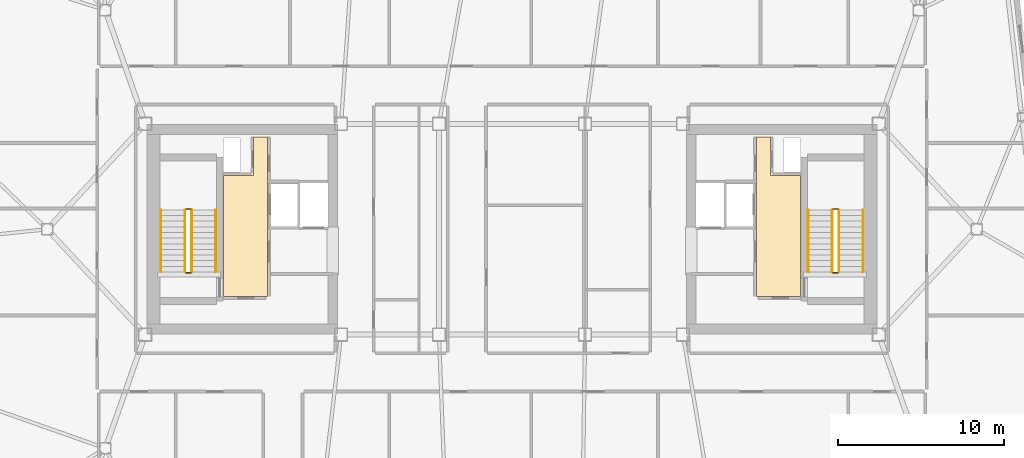
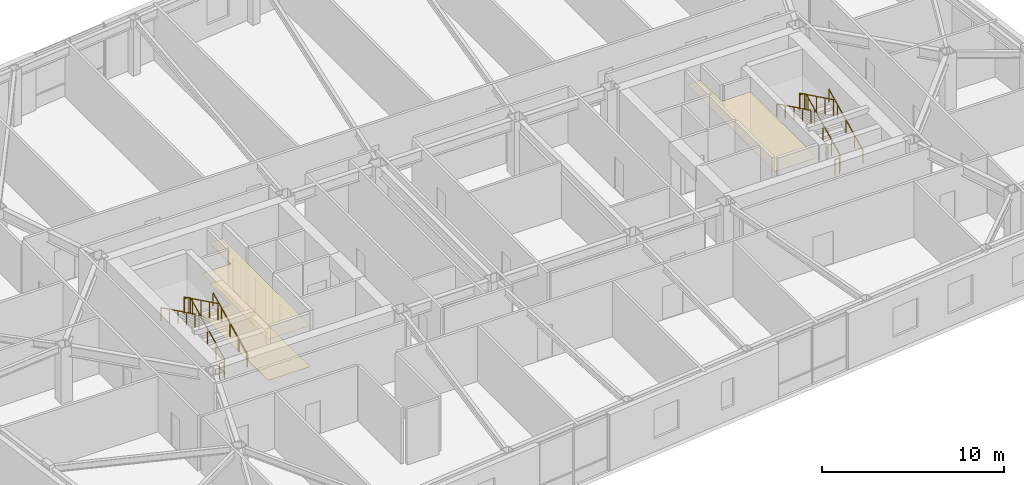
# One storey, part 19 of 19: 12 railings, 3 coverings.
"""IFC4 building model written with IfcOpenShell, lengths in metres."""

from ifc_helpers import new_model, si_unit, direction, frame, origin, origin_2d, place, context, subcontext, project, spatial, polyline, rectangle, outline, extrude, material, layer, layer_set, type_object, element, save


model = new_model("IFC4")

# Units and contexts
model_context = context("Model", 3, precision=1e-05, world=origin(), true_north=direction((0.0, 1.0)))
body_context = subcontext(model_context, "Body", "Model", "MODEL_VIEW")
ifc_project = project(units=[si_unit("LENGTHUNIT", "METRE"), si_unit("AREAUNIT", "SQUARE_METRE"), si_unit("VOLUMEUNIT", "CUBIC_METRE"), si_unit("PLANEANGLEUNIT", "RADIAN"), si_unit("MASSUNIT", "GRAM", prefix="KILO")], contexts=[model_context])

# Site, building, storey
site_placement = place(None, origin())
site = spatial("IfcSite", under=ifc_project, at=site_placement, CompositionType="ELEMENT")
building_placement = place(site_placement, origin())
building = spatial("IfcBuilding", under=site, at=building_placement, Name="Tavrogorsk Clinical Tower", CompositionType="ELEMENT")
storey_placement = place(building_placement, frame((0.0, 0.0, 259.0)))
storey = spatial("IfcBuildingStorey", under=building, at=storey_placement, Name="L60", CompositionType="ELEMENT", Elevation=259.0)

# Coverings
ifc_material_1 = material(Name="Antibacterial micro-perforated aluminium ceiling", Category="aluminium")
ifc_layer_1 = layer(ifc_material_1, 0.014892578125)
ifc_layer_set_1 = layer_set([ifc_layer_1], Name="Antibacterial micro-perforated aluminium ceiling")
covering_type_1 = type_object("IfcCoveringType", Name="ClinicalCeiling_15", PredefinedType="CEILING", material=ifc_layer_set_1)
covering_1_placement = place(storey_placement, frame((0.0, 0.0, 2.75)))
element("IfcCovering", 1, at=covering_1_placement, inside=storey, type_object=covering_type_1, Name="Core West Firefighting Lift Lobby Acoustic Ceiling", PredefinedType="CEILING", context=body_context, shape_type="SweptSolid", body=[
    extrude(outline(polyline([(-14.719970703125, 5.56005859375), (-14.719970703125, -4.06005859375), (-17.3798828125, -4.06005859375), (-17.3798828125, 3.239990234375), (-15.56005859375, 3.239990234375), (-15.56005859375, 5.56005859375), (-14.719970703125, 5.56005859375)])), origin(), (0.0, 0.0, 1.0), 0.014892578125),
])
covering_2_placement = place(storey_placement, frame((0.0, 0.0, 2.75)))
element("IfcCovering", 2, at=covering_2_placement, inside=storey, type_object=covering_type_1, Name="Core East Firefighting Lift Lobby Acoustic Ceiling", PredefinedType="CEILING", context=body_context, shape_type="SweptSolid", body=[
    extrude(outline(polyline([(17.3798828125, -4.06005859375), (14.719970703125, -4.06005859375), (14.719970703125, 5.56005859375), (15.56005859375, 5.56005859375), (15.56005859375, 3.239990234375), (17.3798828125, 3.239990234375), (17.3798828125, -4.06005859375)])), origin(), (0.0, 0.0, 1.0), 0.014892578125),
])
ifc_material_2 = material(Name="Homogeneous medical conductive PVC flooring")
ifc_layer_2 = layer(ifc_material_2, 0.008056640625)
ifc_layer_set_2 = layer_set([ifc_layer_2], Name="Homogeneous medical conductive PVC flooring")
covering_type_2 = type_object("IfcCoveringType", Name="ResilientVinylFloor_8", PredefinedType="FLOORING", material=ifc_layer_set_2)
covering_3_placement = place(storey_placement, origin())
element("IfcCovering", 3, at=covering_3_placement, inside=storey, type_object=covering_type_2, Name="Core West Firefighting Lift Lobby Conductive Vinyl Flooring", PredefinedType="FLOORING", context=body_context, shape_type="SweptSolid", body=[
    extrude(outline(polyline([(-14.719970703125, 5.56005859375), (-14.719970703125, -4.06005859375), (-17.3798828125, -4.06005859375), (-17.3798828125, 3.239990234375), (-15.56005859375, 3.239990234375), (-15.56005859375, 5.56005859375), (-14.719970703125, 5.56005859375)])), origin(), (0.0, 0.0, 1.0), 0.008056640625),
])

# Railings
ifc_material_3 = material(Name="Galvanised steel S355 safety stairwell guard", Category="steel")
ifc_layer_3 = layer(ifc_material_3, 0.06005859375)
ifc_layer_set_3 = layer_set([ifc_layer_3], Name="Galvanised steel S355 safety stairwell guard")
railing_type_1 = type_object("IfcRailingType", Name="StairGuard_1150", PredefinedType="GUARDRAIL", material=ifc_layer_set_3)
railing_1_placement = place(storey_placement, frame((-19.300048828125, -2.574951171875, 0.166748046875)))
element("IfcRailing", 4, at=railing_1_placement, inside=storey, type_object=railing_type_1, Name="L60 ST-W stair guard 1", PredefinedType="GUARDRAIL", context=body_context, shape_type="SweptSolid", body=[
    extrude(rectangle(XDim=0.048095703125, YDim=0.048095703125, at=origin_2d()), frame((0.0, 0.0, 1.076171875), z_axis=(0.0, 0.897927990467, 0.440142390523), x_axis=(-1.0, 0.0, 0.0)), (0.0, 0.0, 1.0), 4.1650390625),
    extrude(rectangle(XDim=0.0419921875, YDim=0.0419921875, at=origin_2d()), origin(), (0.0, 0.0, 1.0), 1.052001953125),
    extrude(rectangle(XDim=0.0419921875, YDim=0.0419921875, at=origin_2d()), frame((0.0, 0.93505859375, 0.458251953125)), (0.0, 0.0, 1.0), 1.052001953125),
    extrude(rectangle(XDim=0.0419921875, YDim=0.0419921875, at=origin_2d()), frame((0.0, 1.8701171875, 0.91650390625)), (0.0, 0.0, 1.0), 1.052001953125),
    extrude(rectangle(XDim=0.0419921875, YDim=0.0419921875, at=origin_2d()), frame((0.0, 2.804931640625, 1.375)), (0.0, 0.0, 1.0), 1.052001953125),
    extrude(rectangle(XDim=0.0419921875, YDim=0.0419921875, at=origin_2d()), frame((0.0, 3.739990234375, 1.833251953125)), (0.0, 0.0, 1.0), 1.052001953125),
])
railing_2_placement = place(storey_placement, frame((-19.35009765625, 1.215087890625, 2.0)))
element("IfcRailing", 5, at=railing_2_placement, inside=storey, type_object=railing_type_1, Name="L60 ST-W stair guard 2", PredefinedType="GUARDRAIL", context=body_context, shape_type="SweptSolid", body=[
    extrude(rectangle(XDim=0.048095703125, YDim=0.048095703125, at=origin_2d()), frame((0.0, 0.0, 1.076171875), z_axis=(-1.0, 0.0, 0.0), x_axis=(0.0, -1.0, 0.0)), (0.0, 0.0, 1.0), 0.2998046875),
    extrude(rectangle(XDim=0.0419921875, YDim=0.0419921875, at=origin_2d()), origin(), (0.0, 0.0, 1.0), 1.052001953125),
    extrude(rectangle(XDim=0.0419921875, YDim=0.0419921875, at=origin_2d()), frame((-0.2998046875, 0.0, 0.0)), (0.0, 0.0, 1.0), 1.052001953125),
])
railing_3_placement = place(storey_placement, frame((-19.699951171875, 1.1650390625, 2.166748046875)))
element("IfcRailing", 6, at=railing_3_placement, inside=storey, type_object=railing_type_1, Name="L60 ST-W stair guard 3", PredefinedType="GUARDRAIL", context=body_context, shape_type="SweptSolid", body=[
    extrude(rectangle(XDim=0.048095703125, YDim=0.048095703125, at=origin_2d()), frame((0.0, 0.0, 1.076171875), z_axis=(0.0, -0.897927990467, 0.440142390523), x_axis=(1.0, 0.0, 0.0)), (0.0, 0.0, 1.0), 4.1650390625),
    extrude(rectangle(XDim=0.0419921875, YDim=0.0419921875, at=origin_2d()), origin(), (0.0, 0.0, 1.0), 1.052001953125),
    extrude(rectangle(XDim=0.0419921875, YDim=0.0419921875, at=origin_2d()), frame((0.0, -0.93505859375, 0.458251953125)), (0.0, 0.0, 1.0), 1.052001953125),
    extrude(rectangle(XDim=0.0419921875, YDim=0.0419921875, at=origin_2d()), frame((0.0, -1.8701171875, 0.91650390625)), (0.0, 0.0, 1.0), 1.052001953125),
    extrude(rectangle(XDim=0.0419921875, YDim=0.0419921875, at=origin_2d()), frame((0.0, -2.804931640625, 1.375)), (0.0, 0.0, 1.0), 1.052001953125),
    extrude(rectangle(XDim=0.0419921875, YDim=0.0419921875, at=origin_2d()), frame((0.0, -3.739990234375, 1.833251953125)), (0.0, 0.0, 1.0), 1.052001953125),
])
railing_4_placement = place(storey_placement, frame((-19.35009765625, -2.625, 0.0)))
element("IfcRailing", 7, at=railing_4_placement, inside=storey, type_object=railing_type_1, Name="L60 ST-W stair guard 4", PredefinedType="GUARDRAIL", context=body_context, shape_type="SweptSolid", body=[
    extrude(rectangle(XDim=0.048095703125, YDim=0.048095703125, at=origin_2d()), frame((0.0, 0.0, 1.076171875), z_axis=(-1.0, 0.0, 0.0), x_axis=(0.0, -1.0, 0.0)), (0.0, 0.0, 1.0), 0.2998046875),
    extrude(rectangle(XDim=0.0419921875, YDim=0.0419921875, at=origin_2d()), origin(), (0.0, 0.0, 1.0), 1.052001953125),
    extrude(rectangle(XDim=0.0419921875, YDim=0.0419921875, at=origin_2d()), frame((-0.2998046875, 0.0, 0.0)), (0.0, 0.0, 1.0), 1.052001953125),
])
railing_5_placement = place(storey_placement, frame((19.699951171875, -2.574951171875, 0.166748046875)))
element("IfcRailing", 8, at=railing_5_placement, inside=storey, type_object=railing_type_1, Name="L60 ST-E stair guard 1", PredefinedType="GUARDRAIL", context=body_context, shape_type="SweptSolid", body=[
    extrude(rectangle(XDim=0.048095703125, YDim=0.048095703125, at=origin_2d()), frame((0.0, 0.0, 1.076171875), z_axis=(0.0, 0.897927990467, 0.440142390523), x_axis=(-1.0, 0.0, 0.0)), (0.0, 0.0, 1.0), 4.1650390625),
    extrude(rectangle(XDim=0.0419921875, YDim=0.0419921875, at=origin_2d()), origin(), (0.0, 0.0, 1.0), 1.052001953125),
    extrude(rectangle(XDim=0.0419921875, YDim=0.0419921875, at=origin_2d()), frame((0.0, 0.93505859375, 0.458251953125)), (0.0, 0.0, 1.0), 1.052001953125),
    extrude(rectangle(XDim=0.0419921875, YDim=0.0419921875, at=origin_2d()), frame((0.0, 1.8701171875, 0.91650390625)), (0.0, 0.0, 1.0), 1.052001953125),
    extrude(rectangle(XDim=0.0419921875, YDim=0.0419921875, at=origin_2d()), frame((0.0, 2.804931640625, 1.375)), (0.0, 0.0, 1.0), 1.052001953125),
    extrude(rectangle(XDim=0.0419921875, YDim=0.0419921875, at=origin_2d()), frame((0.0, 3.739990234375, 1.833251953125)), (0.0, 0.0, 1.0), 1.052001953125),
])
railing_6_placement = place(storey_placement, frame((19.64990234375, 1.215087890625, 2.0)))
element("IfcRailing", 9, at=railing_6_placement, inside=storey, type_object=railing_type_1, Name="L60 ST-E stair guard 2", PredefinedType="GUARDRAIL", context=body_context, shape_type="SweptSolid", body=[
    extrude(rectangle(XDim=0.048095703125, YDim=0.048095703125, at=origin_2d()), frame((0.0, 0.0, 1.076171875), z_axis=(-1.0, 0.0, 0.0), x_axis=(0.0, -1.0, 0.0)), (0.0, 0.0, 1.0), 0.2998046875),
    extrude(rectangle(XDim=0.0419921875, YDim=0.0419921875, at=origin_2d()), origin(), (0.0, 0.0, 1.0), 1.052001953125),
    extrude(rectangle(XDim=0.0419921875, YDim=0.0419921875, at=origin_2d()), frame((-0.2998046875, 0.0, 0.0)), (0.0, 0.0, 1.0), 1.052001953125),
])
railing_7_placement = place(storey_placement, frame((19.300048828125, 1.1650390625, 2.166748046875)))
element("IfcRailing", 10, at=railing_7_placement, inside=storey, type_object=railing_type_1, Name="L60 ST-E stair guard 3", PredefinedType="GUARDRAIL", context=body_context, shape_type="SweptSolid", body=[
    extrude(rectangle(XDim=0.048095703125, YDim=0.048095703125, at=origin_2d()), frame((0.0, 0.0, 1.076171875), z_axis=(0.0, -0.897927990467, 0.440142390523), x_axis=(1.0, 0.0, 0.0)), (0.0, 0.0, 1.0), 4.1650390625),
    extrude(rectangle(XDim=0.0419921875, YDim=0.0419921875, at=origin_2d()), origin(), (0.0, 0.0, 1.0), 1.052001953125),
    extrude(rectangle(XDim=0.0419921875, YDim=0.0419921875, at=origin_2d()), frame((0.0, -0.93505859375, 0.458251953125)), (0.0, 0.0, 1.0), 1.052001953125),
    extrude(rectangle(XDim=0.0419921875, YDim=0.0419921875, at=origin_2d()), frame((0.0, -1.8701171875, 0.91650390625)), (0.0, 0.0, 1.0), 1.052001953125),
    extrude(rectangle(XDim=0.0419921875, YDim=0.0419921875, at=origin_2d()), frame((0.0, -2.804931640625, 1.375)), (0.0, 0.0, 1.0), 1.052001953125),
    extrude(rectangle(XDim=0.0419921875, YDim=0.0419921875, at=origin_2d()), frame((0.0, -3.739990234375, 1.833251953125)), (0.0, 0.0, 1.0), 1.052001953125),
])
railing_8_placement = place(storey_placement, frame((19.64990234375, -2.625, 0.0)))
element("IfcRailing", 11, at=railing_8_placement, inside=storey, type_object=railing_type_1, Name="L60 ST-E stair guard 4", PredefinedType="GUARDRAIL", context=body_context, shape_type="SweptSolid", body=[
    extrude(rectangle(XDim=0.048095703125, YDim=0.048095703125, at=origin_2d()), frame((0.0, 0.0, 1.076171875), z_axis=(-1.0, 0.0, 0.0), x_axis=(0.0, -1.0, 0.0)), (0.0, 0.0, 1.0), 0.2998046875),
    extrude(rectangle(XDim=0.0419921875, YDim=0.0419921875, at=origin_2d()), origin(), (0.0, 0.0, 1.0), 1.052001953125),
    extrude(rectangle(XDim=0.0419921875, YDim=0.0419921875, at=origin_2d()), frame((-0.2998046875, 0.0, 0.0)), (0.0, 0.0, 1.0), 1.052001953125),
])
ifc_material_4 = material(Name="Stainless steel AISI 304 tubular handrail", Category="steel")
ifc_layer_4 = layer(ifc_material_4, 0.050048828125)
ifc_layer_set_4 = layer_set([ifc_layer_4], Name="Stainless steel AISI 304 tubular handrail")
railing_type_2 = type_object("IfcRailingType", Name="StairHandrail_920", PredefinedType="HANDRAIL", material=ifc_layer_set_4)
railing_9_placement = place(storey_placement, frame((-17.85009765625, -2.574951171875, 0.166748046875)))
element("IfcRailing", 12, at=railing_9_placement, inside=storey, type_object=railing_type_2, Name="L60 ST-W stair handrail 1", PredefinedType="HANDRAIL", context=body_context, shape_type="SweptSolid", body=[
    extrude(rectangle(XDim=0.048095703125, YDim=0.048095703125, at=origin_2d()), frame((0.0, 0.0, 0.8759765625), z_axis=(0.0, 0.897927990467, 0.440142390523), x_axis=(-1.0, 0.0, 0.0)), (0.0, 0.0, 1.0), 4.1650390625),
    extrude(rectangle(XDim=0.0419921875, YDim=0.0419921875, at=origin_2d()), origin(), (0.0, 0.0, 1.0), 0.851806640625),
    extrude(rectangle(XDim=0.0419921875, YDim=0.0419921875, at=origin_2d()), frame((0.0, 0.93505859375, 0.458251953125)), (0.0, 0.0, 1.0), 0.851806640625),
    extrude(rectangle(XDim=0.0419921875, YDim=0.0419921875, at=origin_2d()), frame((0.0, 1.8701171875, 0.91650390625)), (0.0, 0.0, 1.0), 0.851806640625),
    extrude(rectangle(XDim=0.0419921875, YDim=0.0419921875, at=origin_2d()), frame((0.0, 2.804931640625, 1.375)), (0.0, 0.0, 1.0), 0.851806640625),
    extrude(rectangle(XDim=0.0419921875, YDim=0.0419921875, at=origin_2d()), frame((0.0, 3.739990234375, 1.833251953125)), (0.0, 0.0, 1.0), 0.851806640625),
])
railing_10_placement = place(storey_placement, frame((-21.14990234375, 1.1650390625, 2.166748046875)))
element("IfcRailing", 13, at=railing_10_placement, inside=storey, type_object=railing_type_2, Name="L60 ST-W stair handrail 2", PredefinedType="HANDRAIL", context=body_context, shape_type="SweptSolid", body=[
    extrude(rectangle(XDim=0.048095703125, YDim=0.048095703125, at=origin_2d()), frame((0.0, 0.0, 0.8759765625), z_axis=(0.0, -0.897927990467, 0.440142390523), x_axis=(1.0, 0.0, 0.0)), (0.0, 0.0, 1.0), 4.1650390625),
    extrude(rectangle(XDim=0.0419921875, YDim=0.0419921875, at=origin_2d()), origin(), (0.0, 0.0, 1.0), 0.851806640625),
    extrude(rectangle(XDim=0.0419921875, YDim=0.0419921875, at=origin_2d()), frame((0.0, -0.93505859375, 0.458251953125)), (0.0, 0.0, 1.0), 0.851806640625),
    extrude(rectangle(XDim=0.0419921875, YDim=0.0419921875, at=origin_2d()), frame((0.0, -1.8701171875, 0.91650390625)), (0.0, 0.0, 1.0), 0.851806640625),
    extrude(rectangle(XDim=0.0419921875, YDim=0.0419921875, at=origin_2d()), frame((0.0, -2.804931640625, 1.375)), (0.0, 0.0, 1.0), 0.851806640625),
    extrude(rectangle(XDim=0.0419921875, YDim=0.0419921875, at=origin_2d()), frame((0.0, -3.739990234375, 1.833251953125)), (0.0, 0.0, 1.0), 0.851806640625),
])
railing_11_placement = place(storey_placement, frame((21.14990234375, -2.574951171875, 0.166748046875)))
element("IfcRailing", 14, at=railing_11_placement, inside=storey, type_object=railing_type_2, Name="L60 ST-E stair handrail 1", PredefinedType="HANDRAIL", context=body_context, shape_type="SweptSolid", body=[
    extrude(rectangle(XDim=0.048095703125, YDim=0.048095703125, at=origin_2d()), frame((0.0, 0.0, 0.8759765625), z_axis=(0.0, 0.897927990467, 0.440142390523), x_axis=(-1.0, 0.0, 0.0)), (0.0, 0.0, 1.0), 4.1650390625),
    extrude(rectangle(XDim=0.0419921875, YDim=0.0419921875, at=origin_2d()), origin(), (0.0, 0.0, 1.0), 0.851806640625),
    extrude(rectangle(XDim=0.0419921875, YDim=0.0419921875, at=origin_2d()), frame((0.0, 0.93505859375, 0.458251953125)), (0.0, 0.0, 1.0), 0.851806640625),
    extrude(rectangle(XDim=0.0419921875, YDim=0.0419921875, at=origin_2d()), frame((0.0, 1.8701171875, 0.91650390625)), (0.0, 0.0, 1.0), 0.851806640625),
    extrude(rectangle(XDim=0.0419921875, YDim=0.0419921875, at=origin_2d()), frame((0.0, 2.804931640625, 1.375)), (0.0, 0.0, 1.0), 0.851806640625),
    extrude(rectangle(XDim=0.0419921875, YDim=0.0419921875, at=origin_2d()), frame((0.0, 3.739990234375, 1.833251953125)), (0.0, 0.0, 1.0), 0.851806640625),
])
railing_12_placement = place(storey_placement, frame((17.85009765625, 1.1650390625, 2.166748046875)))
element("IfcRailing", 15, at=railing_12_placement, inside=storey, type_object=railing_type_2, Name="L60 ST-E stair handrail 2", PredefinedType="HANDRAIL", context=body_context, shape_type="SweptSolid", body=[
    extrude(rectangle(XDim=0.048095703125, YDim=0.048095703125, at=origin_2d()), frame((0.0, 0.0, 0.8759765625), z_axis=(0.0, -0.897927990467, 0.440142390523), x_axis=(1.0, 0.0, 0.0)), (0.0, 0.0, 1.0), 4.1650390625),
    extrude(rectangle(XDim=0.0419921875, YDim=0.0419921875, at=origin_2d()), origin(), (0.0, 0.0, 1.0), 0.851806640625),
    extrude(rectangle(XDim=0.0419921875, YDim=0.0419921875, at=origin_2d()), frame((0.0, -0.93505859375, 0.458251953125)), (0.0, 0.0, 1.0), 0.851806640625),
    extrude(rectangle(XDim=0.0419921875, YDim=0.0419921875, at=origin_2d()), frame((0.0, -1.8701171875, 0.91650390625)), (0.0, 0.0, 1.0), 0.851806640625),
    extrude(rectangle(XDim=0.0419921875, YDim=0.0419921875, at=origin_2d()), frame((0.0, -2.804931640625, 1.375)), (0.0, 0.0, 1.0), 0.851806640625),
    extrude(rectangle(XDim=0.0419921875, YDim=0.0419921875, at=origin_2d()), frame((0.0, -3.739990234375, 1.833251953125)), (0.0, 0.0, 1.0), 0.851806640625),
])

save(model, "model.ifc")
